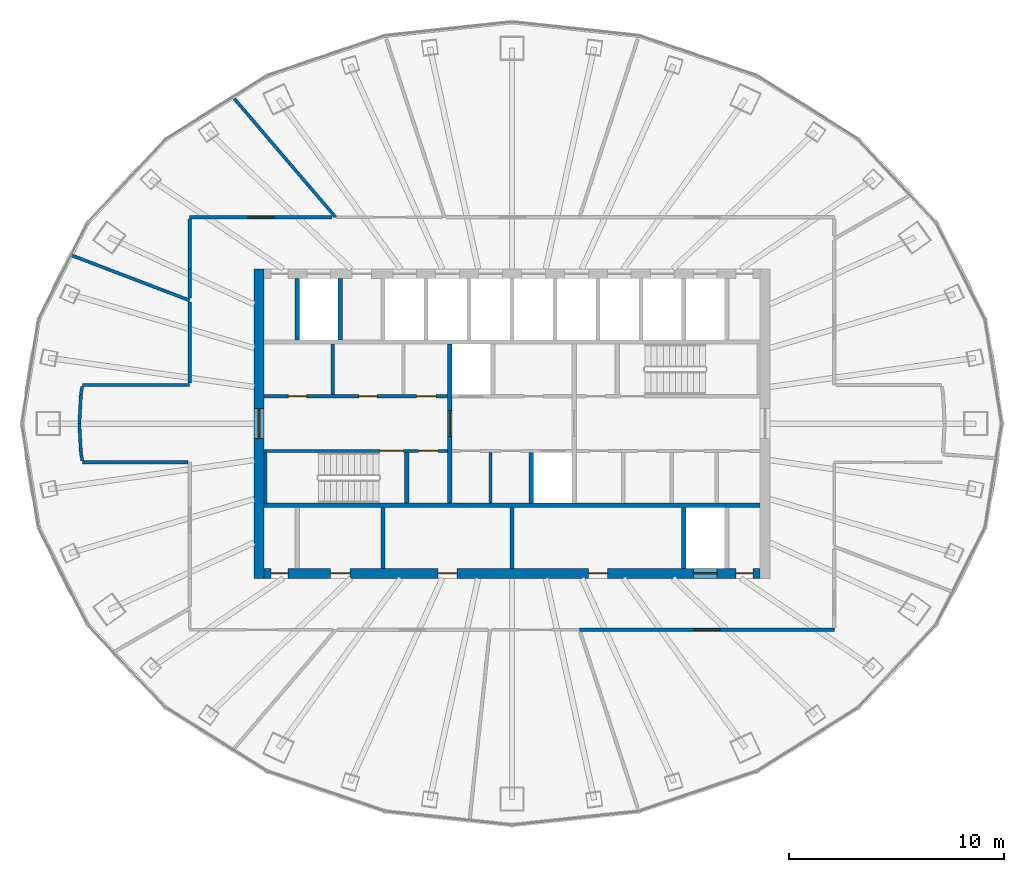
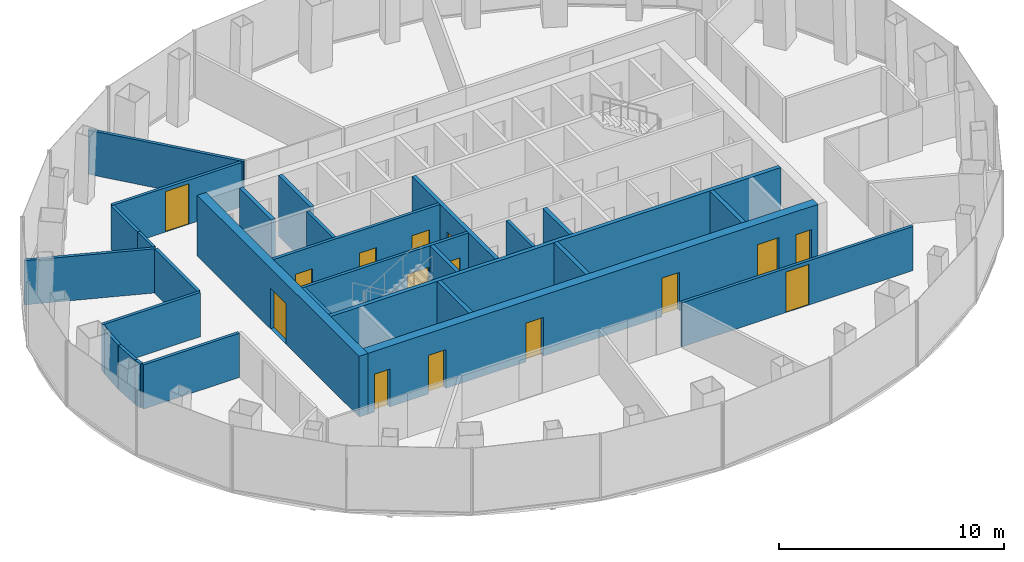
# One storey, part 8 of 11: 29 walls, 15 doors, 15 openings.
"""IFC4 building model written with IfcOpenShell, lengths in metres."""

from ifc_helpers import new_model, si_unit, direction, frame, frame_2d, origin, place, context, subcontext, project, spatial, rectangle, extrude, material, layer, layer_set, type_object, element, fill, save


model = new_model("IFC4")

# Units and contexts
model_context = context("Model", 3, precision=1e-05, world=origin(), true_north=direction((0.0, 1.0)))
body_context = subcontext(model_context, "Body", "Model", "MODEL_VIEW")
ifc_project = project(units=[si_unit("LENGTHUNIT", "METRE"), si_unit("AREAUNIT", "SQUARE_METRE"), si_unit("VOLUMEUNIT", "CUBIC_METRE"), si_unit("PLANEANGLEUNIT", "RADIAN"), si_unit("MASSUNIT", "GRAM", prefix="KILO")], contexts=[model_context])

# Site, building, storey
site_placement = place(None, origin())
site = spatial("IfcSite", under=ifc_project, at=site_placement, CompositionType="ELEMENT")
building_placement = place(site_placement, origin())
building = spatial("IfcBuilding", under=site, at=building_placement, Name="Siaravel Broadcast Tower", CompositionType="ELEMENT")
storey_placement = place(building_placement, frame((0.0, 0.0, 197.800048828125)))
storey = spatial("IfcBuildingStorey", under=building, at=storey_placement, Name="L48", CompositionType="ELEMENT", Elevation=197.800048828125)

# Walls
ifc_material_1 = material(Name="Concrete blockwork", Category="masonry")
ifc_layer_1 = layer(ifc_material_1, 0.14990234375)
ifc_layer_set_1 = layer_set([ifc_layer_1], Name="Concrete blockwork")
wall_type_1 = type_object("IfcWallType", Name="Core partition 150", PredefinedType="PARTITIONING", material=ifc_layer_set_1)
for number, where, z_axis, x_axis, name in (
    (1, (-8.340087890625, 1.35009765625, 0.0), (0.0, 0.0, 1.0), (0.0, 1.0, 0.0), "L48 core partition PNW0"),
    (2, (-1.0, -3.699951171875, 0.0), (0.0, 0.0, 1.0), (0.0, 1.0, 0.0), "L48 core partition PSM0"),
):
    element("IfcWall", number, at=place(storey_placement, frame(where, z_axis=z_axis, x_axis=x_axis)), inside=storey, type_object=wall_type_1, Name=name, PredefinedType="PARTITIONING", context=body_context, shape_type="SweptSolid", body=[
        extrude(rectangle(XDim=2.349853515625, YDim=0.14990234375, at=frame_2d((1.1748046875, 0.0))), origin(), (0.0, 0.0, 1.0), 3.300048828125),
    ])
ifc_layer_2 = layer(ifc_material_1, 0.199951171875)
ifc_layer_set_2 = layer_set([ifc_layer_2], Name="Concrete blockwork")
wall_type_2 = type_object("IfcWallType", Name="Core partition 200", PredefinedType="PARTITIONING", material=ifc_layer_set_2)
for number, where, z_axis, x_axis, name in (
    (3, (-6.0, -6.75, 0.0), (0.0, 0.0, 1.0), (0.0, 1.0, 0.0), "L48 core partition PFS0"),
    (4, (0.0, -6.75, 0.0), (0.0, 0.0, 1.0), (0.0, 1.0, 0.0), "L48 core partition PFS2"),
):
    element("IfcWall", number, at=place(storey_placement, frame(where, z_axis=z_axis, x_axis=x_axis)), inside=storey, type_object=wall_type_2, Name=name, PredefinedType="PARTITIONING", context=body_context, shape_type="SweptSolid", body=[
        extrude(rectangle(XDim=2.85009765625, YDim=0.199951171875, at=frame_2d((1.425048828125, 0.0))), origin(), (0.0, 0.0, 1.0), 3.300048828125),
    ])

# Wall, opening, door
ifc_material_2 = material(Name="Concrete C60/75", Category="concrete")
ifc_layer_3 = layer(ifc_material_2, 0.449951171875)
ifc_layer_set_3 = layer_set([ifc_layer_3], Name="Concrete C60/75")
wall_type_3 = type_object("IfcWallType", Name="Core wall 450", PredefinedType="SHEAR", material=ifc_layer_set_3)
wall_1_placement = place(storey_placement, frame((-11.77490234375, -7.199951171875, 0.0), z_axis=(0.0, 0.0, 1.0), x_axis=(0.0, 1.0, 0.0)))
wall_1 = element("IfcWall", 5, at=wall_1_placement, inside=storey, type_object=wall_type_3, Name="L48 core wall OW", PredefinedType="SHEAR", context=body_context, shape_type="SweptSolid", body=[
    extrude(rectangle(XDim=14.39990234375, YDim=0.449951171875, at=frame_2d((7.199951171875, 0.0))), origin(), (0.0, 0.0, 1.0), 3.300048828125),
])
opening_1_placement = place(wall_1_placement, frame((6.5, 0.0, 0.0)))
opening_1 = element("IfcOpeningElement", 6, at=opening_1_placement, cuts=wall_1, Name="Opening L48-DX-W", PredefinedType="OPENING", context=body_context, shape_type="SweptSolid", body=[
    extrude(rectangle(XDim=1.39990234375, YDim=2.199951171875, at=frame_2d((0.699951171875, 1.10009765625))), frame((0.0, 0.23486328125, 0.0), z_axis=(0.0, -1.0, 0.0), x_axis=(1.0, 0.0, 0.0)), (0.0, 0.0, 1.0), 0.469970703125),
])
ifc_material_3 = material(Name="Steel", Category="steel")
door_type_1 = type_object("IfcDoorType", Name="Core exit door 1400", OperationType="DOUBLE_DOOR_SINGLE_SWING", PredefinedType="DOOR", material=ifc_material_3)
door_1_placement = place(opening_1_placement, origin())
door_1 = element("IfcDoor", 7, at=door_1_placement, inside=storey, type_object=door_type_1, Name="L48 door DX-W", OperationType="DOUBLE_DOOR_SINGLE_SWING", OverallHeight=2.199951171875, OverallWidth=1.39990234375, PredefinedType="DOOR", context=body_context, shape_type="SweptSolid", body=[
    extrude(rectangle(XDim=1.39990234375, YDim=2.199951171875, at=frame_2d((0.699951171875, 1.10009765625))), frame((0.0, 0.02490234375, 0.0), z_axis=(0.0, -1.0, 0.0), x_axis=(1.0, 0.0, 0.0)), (0.0, 0.0, 1.0), 0.050048828125),
])
fill(opening_1, door_1)

# Wall, openings, doors
wall_2_placement = place(storey_placement, frame((-11.550048828125, -6.97509765625, 0.0), z_axis=(0.0, 0.0, 1.0), x_axis=(1.0, 0.0, 0.0)))
wall_2 = element("IfcWall", 8, at=wall_2_placement, inside=storey, type_object=wall_type_3, Name="L48 core wall OS", PredefinedType="SHEAR", context=body_context, shape_type="SweptSolid", body=[
    extrude(rectangle(XDim=23.10009765625, YDim=0.449951171875, at=frame_2d((11.550048828125, 0.0))), origin(), (0.0, 0.0, 1.0), 3.300048828125),
])
opening_2_placement = place(wall_2_placement, frame((20.0, 0.0, 0.0)))
opening_2 = element("IfcOpeningElement", 9, at=opening_2_placement, cuts=wall_2, Name="Opening LD-SV1-L48", PredefinedType="OPENING", context=body_context, shape_type="SweptSolid", body=[
    extrude(rectangle(XDim=1.10009765625, YDim=2.199951171875, at=frame_2d((0.550048828125, 1.10009765625))), frame((0.0, 0.23486328125, 0.0), z_axis=(0.0, -1.0, 0.0), x_axis=(1.0, 0.0, 0.0)), (0.0, 0.0, 1.0), 0.469970703125),
])
opening_3_placement = place(wall_2_placement, frame((3.10009765625, 0.0, 0.0)))
opening_3 = element("IfcOpeningElement", 10, at=opening_3_placement, cuts=wall_2, Name="Opening L48-DFS0", PredefinedType="OPENING", context=body_context, shape_type="SweptSolid", body=[
    extrude(rectangle(XDim=0.89990234375, YDim=2.10009765625, at=frame_2d((0.449951171875, 1.050048828125))), frame((0.0, 0.23486328125, 0.0), z_axis=(0.0, -1.0, 0.0), x_axis=(1.0, 0.0, 0.0)), (0.0, 0.0, 1.0), 0.469970703125),
])
opening_4_placement = place(wall_2_placement, frame((8.10009765625, 0.0, 0.0)))
opening_4 = element("IfcOpeningElement", 11, at=opening_4_placement, cuts=wall_2, Name="Opening L48-DFS2", PredefinedType="OPENING", context=body_context, shape_type="SweptSolid", body=[
    extrude(rectangle(XDim=0.89990234375, YDim=2.10009765625, at=frame_2d((0.449951171875, 1.050048828125))), frame((0.0, 0.23486328125, 0.0), z_axis=(0.0, -1.0, 0.0), x_axis=(1.0, 0.0, 0.0)), (0.0, 0.0, 1.0), 0.469970703125),
])
opening_5_placement = place(wall_2_placement, frame((15.10009765625, 0.0, 0.0)))
opening_5 = element("IfcOpeningElement", 12, at=opening_5_placement, cuts=wall_2, Name="Opening L48-DFS5", PredefinedType="OPENING", context=body_context, shape_type="SweptSolid", body=[
    extrude(rectangle(XDim=0.89990234375, YDim=2.10009765625, at=frame_2d((0.449951171875, 1.050048828125))), frame((0.0, 0.23486328125, 0.0), z_axis=(0.0, -1.0, 0.0), x_axis=(1.0, 0.0, 0.0)), (0.0, 0.0, 1.0), 0.469970703125),
])
opening_6_placement = place(wall_2_placement, frame((0.324951171875, 0.0, 0.0)))
opening_6 = element("IfcOpeningElement", 13, at=opening_6_placement, cuts=wall_2, Name="Opening L48-DRSW", PredefinedType="OPENING", context=body_context, shape_type="SweptSolid", body=[
    extrude(rectangle(XDim=0.800048828125, YDim=2.050048828125, at=frame_2d((0.39990234375, 1.02490234375))), frame((0.0, 0.23486328125, 0.0), z_axis=(0.0, -1.0, 0.0), x_axis=(1.0, 0.0, 0.0)), (0.0, 0.0, 1.0), 0.469970703125),
])
opening_7_placement = place(wall_2_placement, frame((21.97509765625, 0.0, 0.0)))
opening_7 = element("IfcOpeningElement", 14, at=opening_7_placement, cuts=wall_2, Name="Opening L48-DRSE", PredefinedType="OPENING", context=body_context, shape_type="SweptSolid", body=[
    extrude(rectangle(XDim=0.800048828125, YDim=2.050048828125, at=frame_2d((0.39990234375, 1.02490234375))), frame((0.0, 0.23486328125, 0.0), z_axis=(0.0, -1.0, 0.0), x_axis=(1.0, 0.0, 0.0)), (0.0, 0.0, 1.0), 0.469970703125),
])
ifc_material_4 = material(Name="Timber veneer", Category="wood")
door_type_2 = type_object("IfcDoorType", Name="Core room door 900", OperationType="SINGLE_SWING_LEFT", PredefinedType="DOOR", material=ifc_material_4)
door_2_placement = place(opening_3_placement, origin())
door_2 = element("IfcDoor", 15, at=door_2_placement, inside=storey, type_object=door_type_2, Name="L48 door DFS0", OperationType="SINGLE_SWING_LEFT", OverallHeight=2.10009765625, OverallWidth=0.89990234375, PredefinedType="DOOR", context=body_context, shape_type="SweptSolid", body=[
    extrude(rectangle(XDim=0.89990234375, YDim=2.10009765625, at=frame_2d((0.449951171875, 1.050048828125))), frame((0.0, 0.02490234375, 0.0), z_axis=(0.0, -1.0, 0.0), x_axis=(1.0, 0.0, 0.0)), (0.0, 0.0, 1.0), 0.050048828125),
])
fill(opening_3, door_2)
door_3_placement = place(opening_4_placement, origin())
door_3 = element("IfcDoor", 16, at=door_3_placement, inside=storey, type_object=door_type_2, Name="L48 door DFS2", OperationType="SINGLE_SWING_LEFT", OverallHeight=2.10009765625, OverallWidth=0.89990234375, PredefinedType="DOOR", context=body_context, shape_type="SweptSolid", body=[
    extrude(rectangle(XDim=0.89990234375, YDim=2.10009765625, at=frame_2d((0.449951171875, 1.050048828125))), frame((0.0, 0.02490234375, 0.0), z_axis=(0.0, -1.0, 0.0), x_axis=(1.0, 0.0, 0.0)), (0.0, 0.0, 1.0), 0.050048828125),
])
fill(opening_4, door_3)
door_4_placement = place(opening_5_placement, origin())
door_4 = element("IfcDoor", 17, at=door_4_placement, inside=storey, type_object=door_type_2, Name="L48 door DFS5", OperationType="SINGLE_SWING_LEFT", OverallHeight=2.10009765625, OverallWidth=0.89990234375, PredefinedType="DOOR", context=body_context, shape_type="SweptSolid", body=[
    extrude(rectangle(XDim=0.89990234375, YDim=2.10009765625, at=frame_2d((0.449951171875, 1.050048828125))), frame((0.0, 0.02490234375, 0.0), z_axis=(0.0, -1.0, 0.0), x_axis=(1.0, 0.0, 0.0)), (0.0, 0.0, 1.0), 0.050048828125),
])
fill(opening_5, door_4)
door_type_3 = type_object("IfcDoorType", Name="Riser door 800", OperationType="SINGLE_SWING_LEFT", PredefinedType="DOOR", material=ifc_material_3)
door_5_placement = place(opening_6_placement, origin())
door_5 = element("IfcDoor", 18, at=door_5_placement, inside=storey, type_object=door_type_3, Name="L48 door DRSW", OperationType="SINGLE_SWING_LEFT", OverallHeight=2.050048828125, OverallWidth=0.800048828125, PredefinedType="DOOR", context=body_context, shape_type="SweptSolid", body=[
    extrude(rectangle(XDim=0.800048828125, YDim=2.050048828125, at=frame_2d((0.39990234375, 1.02490234375))), frame((0.0, 0.02490234375, 0.0), z_axis=(0.0, -1.0, 0.0), x_axis=(1.0, 0.0, 0.0)), (0.0, 0.0, 1.0), 0.050048828125),
])
fill(opening_6, door_5)
door_6_placement = place(opening_7_placement, origin())
door_6 = element("IfcDoor", 19, at=door_6_placement, inside=storey, type_object=door_type_3, Name="L48 door DRSE", OperationType="SINGLE_SWING_LEFT", OverallHeight=2.050048828125, OverallWidth=0.800048828125, PredefinedType="DOOR", context=body_context, shape_type="SweptSolid", body=[
    extrude(rectangle(XDim=0.800048828125, YDim=2.050048828125, at=frame_2d((0.39990234375, 1.02490234375))), frame((0.0, 0.02490234375, 0.0), z_axis=(0.0, -1.0, 0.0), x_axis=(1.0, 0.0, 0.0)), (0.0, 0.0, 1.0), 0.050048828125),
])
fill(opening_7, door_6)
ifc_material_5 = material(Name="Stainless steel 316L", Category="steel")
door_type_4 = type_object("IfcDoorType", Name="Service lift landing door 1100", OperationType="DOUBLE_DOOR_SLIDING", PredefinedType="DOOR", material=ifc_material_5)
door_7_placement = place(opening_2_placement, origin())
door_7 = element("IfcDoor", 20, at=door_7_placement, inside=storey, type_object=door_type_4, Name="Landing door SV1 L48", OperationType="DOUBLE_DOOR_SLIDING", OverallHeight=2.199951171875, OverallWidth=1.10009765625, PredefinedType="DOOR", context=body_context, shape_type="SweptSolid", body=[
    extrude(rectangle(XDim=1.10009765625, YDim=2.199951171875, at=frame_2d((0.550048828125, 1.10009765625))), frame((0.0, 0.02490234375, 0.0), z_axis=(0.0, -1.0, 0.0), x_axis=(1.0, 0.0, 0.0)), (0.0, 0.0, 1.0), 0.050048828125),
])
fill(opening_2, door_7)

ifc_material_6 = material(Name="Gypsum board partition", Category="gypsum")
ifc_layer_4 = layer(ifc_material_6, 0.14990234375)
ifc_layer_set_4 = layer_set([ifc_layer_4], Name="Gypsum board partition")
wall_type_4 = type_object("IfcWallType", Name="Corridor wall 150", PredefinedType="PARTITIONING", material=ifc_layer_set_4)
wall_3_placement = place(storey_placement, frame((-11.550048828125, 1.27490234375, 0.0), z_axis=(0.0, 0.0, 1.0), x_axis=(1.0, 0.0, 0.0)))
wall_3 = element("IfcWall", 21, at=wall_3_placement, inside=storey, type_object=wall_type_4, Name="L48 core partition CNW", PredefinedType="PARTITIONING", context=body_context, shape_type="SweptSolid", body=[
    extrude(rectangle(XDim=8.550048828125, YDim=0.14990234375, at=frame_2d((4.27490234375, 0.0))), origin(), (0.0, 0.0, 1.0), 3.300048828125),
])
opening_8_placement = place(wall_3_placement, frame((1.142578125, 0.0, 0.0)))
opening_8 = element("IfcOpeningElement", 22, at=opening_8_placement, cuts=wall_3, Name="Opening L48-DNW0", PredefinedType="OPENING", context=body_context, shape_type="SweptSolid", body=[
    extrude(rectangle(XDim=0.85009765625, YDim=2.10009765625, at=frame_2d((0.425048828125, 1.050048828125))), frame((0.0, 0.0849609375, 0.0), z_axis=(0.0, -1.0, 0.0), x_axis=(1.0, 0.0, 0.0)), (0.0, 0.0, 1.0), 0.169921875),
])
opening_9_placement = place(wall_3_placement, frame((4.427490234375, 0.0, 0.0)))
opening_9 = element("IfcOpeningElement", 23, at=opening_9_placement, cuts=wall_3, Name="Opening L48-DNW1", PredefinedType="OPENING", context=body_context, shape_type="SweptSolid", body=[
    extrude(rectangle(XDim=0.85009765625, YDim=2.10009765625, at=frame_2d((0.425048828125, 1.050048828125))), frame((0.0, 0.0849609375, 0.0), z_axis=(0.0, -1.0, 0.0), x_axis=(1.0, 0.0, 0.0)), (0.0, 0.0, 1.0), 0.169921875),
])
opening_10_placement = place(wall_3_placement, frame((7.110107421875, 0.0, 0.0)))
opening_10 = element("IfcOpeningElement", 24, at=opening_10_placement, cuts=wall_3, Name="Opening L48-DNW2", PredefinedType="OPENING", context=body_context, shape_type="SweptSolid", body=[
    extrude(rectangle(XDim=0.89990234375, YDim=2.10009765625, at=frame_2d((0.449951171875, 1.050048828125))), frame((0.0, 0.0849609375, 0.0), z_axis=(0.0, -1.0, 0.0), x_axis=(1.0, 0.0, 0.0)), (0.0, 0.0, 1.0), 0.169921875),
])
door_8_placement = place(opening_10_placement, origin())
door_8 = element("IfcDoor", 25, at=door_8_placement, inside=storey, type_object=door_type_2, Name="L48 door DNW2", OperationType="SINGLE_SWING_LEFT", OverallHeight=2.10009765625, OverallWidth=0.89990234375, PredefinedType="DOOR", context=body_context, shape_type="SweptSolid", body=[
    extrude(rectangle(XDim=0.89990234375, YDim=2.10009765625, at=frame_2d((0.449951171875, 1.050048828125))), frame((0.0, 0.02490234375, 0.0), z_axis=(0.0, -1.0, 0.0), x_axis=(1.0, 0.0, 0.0)), (0.0, 0.0, 1.0), 0.050048828125),
])
fill(opening_10, door_8)
door_type_5 = type_object("IfcDoorType", Name="Core toilet door 850", OperationType="SINGLE_SWING_LEFT", PredefinedType="DOOR", material=ifc_material_4)
door_9_placement = place(opening_8_placement, origin())
door_9 = element("IfcDoor", 26, at=door_9_placement, inside=storey, type_object=door_type_5, Name="L48 door DNW0", OperationType="SINGLE_SWING_LEFT", OverallHeight=2.10009765625, OverallWidth=0.85009765625, PredefinedType="DOOR", context=body_context, shape_type="SweptSolid", body=[
    extrude(rectangle(XDim=0.85009765625, YDim=2.10009765625, at=frame_2d((0.425048828125, 1.050048828125))), frame((0.0, 0.02490234375, 0.0), z_axis=(0.0, -1.0, 0.0), x_axis=(1.0, 0.0, 0.0)), (0.0, 0.0, 1.0), 0.050048828125),
])
fill(opening_8, door_9)
door_10_placement = place(opening_9_placement, origin())
door_10 = element("IfcDoor", 27, at=door_10_placement, inside=storey, type_object=door_type_5, Name="L48 door DNW1", OperationType="SINGLE_SWING_LEFT", OverallHeight=2.10009765625, OverallWidth=0.85009765625, PredefinedType="DOOR", context=body_context, shape_type="SweptSolid", body=[
    extrude(rectangle(XDim=0.85009765625, YDim=2.10009765625, at=frame_2d((0.425048828125, 1.050048828125))), frame((0.0, 0.02490234375, 0.0), z_axis=(0.0, -1.0, 0.0), x_axis=(1.0, 0.0, 0.0)), (0.0, 0.0, 1.0), 0.050048828125),
])
fill(opening_9, door_10)

# Wall, opening, door
wall_4_placement = place(storey_placement, frame((3.140380859375, -9.60009765625, 0.0), z_axis=(0.0, 0.0, 1.0), x_axis=(1.0, 0.0, 0.0)))
wall_4 = element("IfcWall", 28, at=wall_4_placement, inside=storey, type_object=wall_type_4, Name="L48 partition 1", PredefinedType="PARTITIONING", context=body_context, shape_type="SweptSolid", body=[
    extrude(rectangle(XDim=11.859619140625, YDim=0.14990234375, at=frame_2d((5.9296875, 0.0))), origin(), (0.0, 0.0, 1.0), 2.39990234375),
])
opening_11_placement = place(wall_4_placement, frame((5.329833984375, 0.0, 0.0)))
opening_11 = element("IfcOpeningElement", 29, at=opening_11_placement, cuts=wall_4, Name="Opening L48-003", PredefinedType="OPENING", context=body_context, shape_type="SweptSolid", body=[
    extrude(rectangle(XDim=1.199951171875, YDim=2.199951171875, at=frame_2d((0.60009765625, 1.10009765625))), frame((0.0, 0.0849609375, 0.0), z_axis=(0.0, -1.0, 0.0), x_axis=(1.0, 0.0, 0.0)), (0.0, 0.0, 1.0), 0.169921875),
])
door_type_6 = type_object("IfcDoorType", Name="Office double door 1200", OperationType="DOUBLE_DOOR_SINGLE_SWING", PredefinedType="DOOR", material=ifc_material_4)
door_11_placement = place(opening_11_placement, origin())
door_11 = element("IfcDoor", 30, at=door_11_placement, inside=storey, type_object=door_type_6, Name="L48 door to Open plan office", OperationType="DOUBLE_DOOR_SINGLE_SWING", OverallHeight=2.199951171875, OverallWidth=1.199951171875, PredefinedType="DOOR", context=body_context, shape_type="SweptSolid", body=[
    extrude(rectangle(XDim=1.199951171875, YDim=2.199951171875, at=frame_2d((0.60009765625, 1.10009765625))), frame((0.0, 0.02490234375, 0.0), z_axis=(0.0, -1.0, 0.0), x_axis=(1.0, 0.0, 0.0)), (0.0, 0.0, 1.0), 0.050048828125),
])
fill(opening_11, door_11)

wall_5_placement = place(storey_placement, frame((-8.371337890625, 9.60009765625, 0.0), z_axis=(0.0, 0.0, 1.0), x_axis=(-1.0, 0.0, 0.0)))
wall_5 = element("IfcWall", 31, at=wall_5_placement, inside=storey, type_object=wall_type_4, Name="L48 partition 11", PredefinedType="PARTITIONING", context=body_context, shape_type="SweptSolid", body=[
    extrude(rectangle(XDim=6.628662109375, YDim=0.14990234375, at=frame_2d((3.314453125, 0.0))), origin(), (0.0, 0.0, 1.0), 2.39990234375),
])
opening_12_placement = place(wall_5_placement, frame((2.71435546875, 0.0, 0.0)))
opening_12 = element("IfcOpeningElement", 32, at=opening_12_placement, cuts=wall_5, Name="Opening L48-010", PredefinedType="OPENING", context=body_context, shape_type="SweptSolid", body=[
    extrude(rectangle(XDim=1.199951171875, YDim=2.199951171875, at=frame_2d((0.60009765625, 1.10009765625))), frame((0.0, 0.0849609375, 0.0), z_axis=(0.0, -1.0, 0.0), x_axis=(1.0, 0.0, 0.0)), (0.0, 0.0, 1.0), 0.169921875),
])
door_12_placement = place(opening_12_placement, origin())
door_12 = element("IfcDoor", 33, at=door_12_placement, inside=storey, type_object=door_type_6, Name="L48 door to Open plan office", OperationType="DOUBLE_DOOR_SINGLE_SWING", OverallHeight=2.199951171875, OverallWidth=1.199951171875, PredefinedType="DOOR", context=body_context, shape_type="SweptSolid", body=[
    extrude(rectangle(XDim=1.199951171875, YDim=2.199951171875, at=frame_2d((0.60009765625, 1.10009765625))), frame((0.0, 0.02490234375, 0.0), z_axis=(0.0, -1.0, 0.0), x_axis=(1.0, 0.0, 0.0)), (0.0, 0.0, 1.0), 0.050048828125),
])
fill(opening_12, door_12)

# Walls
wall_6_placement = place(storey_placement, frame((-19.9921875, -1.800048828125, 0.0), z_axis=(0.0, 0.0, 1.0), x_axis=(1.0, 0.0, 0.0)))
element("IfcWall", 34, at=wall_6_placement, inside=storey, type_object=wall_type_4, Name="L48 partition 18", PredefinedType="PARTITIONING", context=body_context, shape_type="SweptSolid", body=[
    extrude(rectangle(XDim=4.915283203125, YDim=0.14990234375, at=frame_2d((2.45751953125, 0.0))), origin(), (0.0, 0.0, 1.0), 2.39990234375),
])
wall_7_placement = place(storey_placement, frame((-15.0, 1.800048828125, 0.0), z_axis=(0.0, 0.0, 1.0), x_axis=(-1.0, 0.0, 0.0)))
element("IfcWall", 35, at=wall_7_placement, inside=storey, type_object=wall_type_4, Name="L48 partition 19", PredefinedType="PARTITIONING", context=body_context, shape_type="SweptSolid", body=[
    extrude(rectangle(XDim=4.9921875, YDim=0.14990234375, at=frame_2d((2.49609375, 0.0))), origin(), (0.0, 0.0, 1.0), 2.39990234375),
])
wall_8_placement = place(storey_placement, frame((-15.0, 5.6572265625, 0.0), z_axis=(0.0, 0.0, 1.0), x_axis=(0.0, -1.0, 0.0)))
element("IfcWall", 36, at=wall_8_placement, inside=storey, type_object=wall_type_4, Name="L48 partition 25", PredefinedType="PARTITIONING", context=body_context, shape_type="SweptSolid", body=[
    extrude(rectangle(XDim=3.7802734375, YDim=0.14990234375, at=frame_2d((1.89013671875, 0.0))), origin(), (0.0, 0.0, 1.0), 2.39990234375),
])
wall_9_placement = place(storey_placement, frame((-15.0, 9.52294921875, 0.0), z_axis=(0.0, 0.0, 1.0), x_axis=(0.0, -1.0, 0.0)))
element("IfcWall", 37, at=wall_9_placement, inside=storey, type_object=wall_type_4, Name="L48 partition 28", PredefinedType="PARTITIONING", context=body_context, shape_type="SweptSolid", body=[
    extrude(rectangle(XDim=2.3349609375, YDim=0.14990234375, at=frame_2d((1.16748046875, 0.0))), origin(), (0.0, 0.0, 1.0), 2.39990234375),
])
wall_10_placement = place(storey_placement, frame((-15.0, 7.18701171875, 0.0), z_axis=(0.0, 0.0, 1.0), x_axis=(0.0, -1.0, 0.0)))
element("IfcWall", 38, at=wall_10_placement, inside=storey, type_object=wall_type_4, Name="L48 partition 30", PredefinedType="PARTITIONING", context=body_context, shape_type="SweptSolid", body=[
    extrude(rectangle(XDim=1.3466796875, YDim=0.14990234375, at=frame_2d((0.67333984375, 0.0))), origin(), (0.0, 0.0, 1.0), 2.39990234375),
])
wall_11_placement = place(storey_placement, frame((-20.13671875, 0.0, 0.0), z_axis=(0.0, 0.0, 1.0), x_axis=(0.053233569, -0.998582088, 0.0)))
element("IfcWall", 39, at=wall_11_placement, inside=storey, type_object=wall_type_4, Name="L48 partition 35", PredefinedType="PARTITIONING", context=body_context, shape_type="SweptSolid", body=[
    extrude(rectangle(XDim=1.348388671875, YDim=0.14990234375, at=frame_2d((0.67431640625, 0.0))), origin(), (0.0, 0.0, 1.0), 2.39990234375),
])
wall_12_placement = place(storey_placement, frame((-20.06494140625, 1.346435546875, 0.0), z_axis=(0.0, 0.0, 1.0), x_axis=(-0.053267345, -0.998580287, 0.0)))
element("IfcWall", 40, at=wall_12_placement, inside=storey, type_object=wall_type_4, Name="L48 partition 36", PredefinedType="PARTITIONING", context=body_context, shape_type="SweptSolid", body=[
    extrude(rectangle(XDim=1.33837890625, YDim=0.14990234375, at=frame_2d((0.669189453125, 0.0))), origin(), (0.0, 0.0, 1.0), 2.39990234375),
])
for number, where, z_axis, x_axis, name in (
    (41, (-20.0634765625, -1.356201171875, 0.0), (0.0, 0.0, 1.0), (0.158882963, -0.987297424, 0.0), "L48 partition 40"),
    (42, (-20.004150390625, 1.724853515625, 0.0), (0.0, 0.0, 1.0), (-0.158882963, -0.987297424, 0.0), "L48 partition 41"),
):
    element("IfcWall", number, at=place(storey_placement, frame(where, z_axis=z_axis, x_axis=x_axis)), inside=storey, type_object=wall_type_4, Name=name, PredefinedType="PARTITIONING", context=body_context, shape_type="SweptSolid", body=[
        extrude(rectangle(XDim=0.373291015625, YDim=0.14990234375, at=frame_2d((0.1865234375, 0.0))), origin(), (0.0, 0.0, 1.0), 2.39990234375),
    ])
ifc_layer_5 = layer(ifc_material_6, 0.14990234375)
ifc_layer_set_5 = layer_set([ifc_layer_5], Name="Gypsum board partition")
wall_type_5 = type_object("IfcWallType", Name="Room partition 150", PredefinedType="PARTITIONING", material=ifc_layer_set_5)
wall_13_placement = place(storey_placement, frame((-12.974853515625, 15.177978515625, 0.0), z_axis=(0.0, 0.0, 1.0), x_axis=(0.649790761, -0.760113128, 0.0)))
element("IfcWall", 43, at=wall_13_placement, inside=storey, type_object=wall_type_5, Name="L48 partition 7", PredefinedType="PARTITIONING", context=body_context, shape_type="SweptSolid", body=[
    extrude(rectangle(XDim=7.338134765625, YDim=0.14990234375, at=frame_2d((3.6689453125, 0.0))), origin(), (0.0, 0.0, 1.0), 2.39990234375),
])
wall_14_placement = place(storey_placement, frame((-20.515380859375, 7.8359375, 0.0), z_axis=(0.0, 0.0, 1.0), x_axis=(0.934186062, -0.356786213, 0.0)))
element("IfcWall", 44, at=wall_14_placement, inside=storey, type_object=wall_type_5, Name="L48 partition 13", PredefinedType="PARTITIONING", context=body_context, shape_type="SweptSolid", body=[
    extrude(rectangle(XDim=5.904052734375, YDim=0.14990234375, at=frame_2d((2.9521484375, 0.0))), origin(), (0.0, 0.0, 1.0), 2.39990234375),
])

# Wall, openings, doors
ifc_layer_6 = layer(ifc_material_2, 0.14990234375)
ifc_layer_set_6 = layer_set([ifc_layer_6], Name="Concrete C60/75")
wall_type_6 = type_object("IfcWallType", Name="Shaft wall 150", PredefinedType="SHEAR", material=ifc_layer_set_6)
wall_15_placement = place(storey_placement, frame((-11.550048828125, -1.27490234375, 0.0), z_axis=(0.0, 0.0, 1.0), x_axis=(1.0, 0.0, 0.0)))
wall_15 = element("IfcWall", 45, at=wall_15_placement, inside=storey, type_object=wall_type_6, Name="L48 core wall CSW", PredefinedType="SHEAR", context=body_context, shape_type="SweptSolid", body=[
    extrude(rectangle(XDim=8.550048828125, YDim=0.14990234375, at=frame_2d((4.27490234375, 0.0))), origin(), (0.0, 0.0, 1.0), 3.300048828125),
])
opening_13_placement = place(wall_15_placement, frame((5.39990234375, 0.0, 0.0)))
opening_13 = element("IfcOpeningElement", 46, at=opening_13_placement, cuts=wall_15, Name="Opening L48-DS-1", PredefinedType="OPENING", context=body_context, shape_type="SweptSolid", body=[
    extrude(rectangle(XDim=1.10009765625, YDim=2.14990234375, at=frame_2d((0.550048828125, 1.074951171875))), frame((0.0, 0.0849609375, 0.0), z_axis=(0.0, -1.0, 0.0), x_axis=(1.0, 0.0, 0.0)), (0.0, 0.0, 1.0), 0.169921875),
])
opening_14_placement = place(wall_15_placement, frame((7.199951171875, 0.0, 0.0)))
opening_14 = element("IfcOpeningElement", 47, at=opening_14_placement, cuts=wall_15, Name="Opening L48-DSW0", PredefinedType="OPENING", context=body_context, shape_type="SweptSolid", body=[
    extrude(rectangle(XDim=0.89990234375, YDim=2.10009765625, at=frame_2d((0.449951171875, 1.050048828125))), frame((0.0, 0.0849609375, 0.0), z_axis=(0.0, -1.0, 0.0), x_axis=(1.0, 0.0, 0.0)), (0.0, 0.0, 1.0), 0.169921875),
])
door_13_placement = place(opening_14_placement, origin())
door_13 = element("IfcDoor", 48, at=door_13_placement, inside=storey, type_object=door_type_2, Name="L48 door DSW0", OperationType="SINGLE_SWING_LEFT", OverallHeight=2.10009765625, OverallWidth=0.89990234375, PredefinedType="DOOR", context=body_context, shape_type="SweptSolid", body=[
    extrude(rectangle(XDim=0.89990234375, YDim=2.10009765625, at=frame_2d((0.449951171875, 1.050048828125))), frame((0.0, 0.02490234375, 0.0), z_axis=(0.0, -1.0, 0.0), x_axis=(1.0, 0.0, 0.0)), (0.0, 0.0, 1.0), 0.050048828125),
])
fill(opening_14, door_13)
door_type_7 = type_object("IfcDoorType", Name="Stair door 1100", OperationType="SINGLE_SWING_LEFT", PredefinedType="DOOR", material=ifc_material_3)
door_14_placement = place(opening_13_placement, origin())
door_14 = element("IfcDoor", 49, at=door_14_placement, inside=storey, type_object=door_type_7, Name="L48 door DS-1", OperationType="SINGLE_SWING_LEFT", OverallHeight=2.14990234375, OverallWidth=1.10009765625, PredefinedType="DOOR", context=body_context, shape_type="SweptSolid", body=[
    extrude(rectangle(XDim=1.10009765625, YDim=2.14990234375, at=frame_2d((0.550048828125, 1.074951171875))), frame((0.0, 0.02490234375, 0.0), z_axis=(0.0, -1.0, 0.0), x_axis=(1.0, 0.0, 0.0)), (0.0, 0.0, 1.0), 0.050048828125),
])
fill(opening_13, door_14)

# Walls
wall_16_placement = place(storey_placement, frame((-11.47509765625, -3.699951171875, 0.0), z_axis=(0.0, 0.0, 1.0), x_axis=(0.0, 1.0, 0.0)))
element("IfcWall", 50, at=wall_16_placement, inside=storey, type_object=wall_type_6, Name="L48 core wall ST1W", PredefinedType="SHEAR", context=body_context, shape_type="SweptSolid", body=[
    extrude(rectangle(XDim=2.349853515625, YDim=0.14990234375, at=frame_2d((1.1748046875, 0.0))), origin(), (0.0, 0.0, 1.0), 3.300048828125),
])
ifc_layer_7 = layer(ifc_material_2, 0.199951171875)
ifc_layer_set_7 = layer_set([ifc_layer_7], Name="Concrete C60/75")
wall_type_7 = type_object("IfcWallType", Name="Shaft wall 200", PredefinedType="SHEAR", material=ifc_layer_set_7)
wall_17_placement = place(storey_placement, frame((-11.550048828125, -3.800048828125, 0.0), z_axis=(0.0, 0.0, 1.0), x_axis=(1.0, 0.0, 0.0)))
element("IfcWall", 51, at=wall_17_placement, inside=storey, type_object=wall_type_7, Name="L48 core wall BS", PredefinedType="SHEAR", context=body_context, shape_type="SweptSolid", body=[
    extrude(rectangle(XDim=23.10009765625, YDim=0.199951171875, at=frame_2d((11.550048828125, 0.0))), origin(), (0.0, 0.0, 1.0), 3.300048828125),
])
for number, where, z_axis, x_axis, name in (
    (52, (8.0, -6.75, 0.0), (0.0, 0.0, 1.0), (0.0, 1.0, 0.0), "L48 core wall SWS9"),
    (53, (-10.0, 3.89990234375, 0.0), (0.0, 0.0, 1.0), (0.0, 1.0, 0.0), "L48 core wall SWN0"),
    (54, (-8.0, 3.89990234375, 0.0), (0.0, 0.0, 1.0), (0.0, 1.0, 0.0), "L48 core wall SWN1"),
):
    element("IfcWall", number, at=place(storey_placement, frame(where, z_axis=z_axis, x_axis=x_axis)), inside=storey, type_object=wall_type_7, Name=name, PredefinedType="SHEAR", context=body_context, shape_type="SweptSolid", body=[
        extrude(rectangle(XDim=2.85009765625, YDim=0.199951171875, at=frame_2d((1.425048828125, 0.0))), origin(), (0.0, 0.0, 1.0), 3.300048828125),
    ])

# Wall, opening, door
wall_18_placement = place(storey_placement, frame((-2.89990234375, -3.699951171875, 0.0), z_axis=(0.0, 0.0, 1.0), x_axis=(0.0, 1.0, 0.0)))
wall_18 = element("IfcWall", 55, at=wall_18_placement, inside=storey, type_object=wall_type_7, Name="L48 core wall LW", PredefinedType="SHEAR", context=body_context, shape_type="SweptSolid", body=[
    extrude(rectangle(XDim=7.39990234375, YDim=0.199951171875, at=frame_2d((3.699951171875, 0.0))), origin(), (0.0, 0.0, 1.0), 3.300048828125),
])
opening_15_placement = place(wall_18_placement, frame((3.10009765625, 0.0, 0.0)))
opening_15 = element("IfcOpeningElement", 56, at=opening_15_placement, cuts=wall_18, Name="Opening L48-DL-W", PredefinedType="OPENING", context=body_context, shape_type="SweptSolid", body=[
    extrude(rectangle(XDim=1.199951171875, YDim=2.199951171875, at=frame_2d((0.60009765625, 1.10009765625))), frame((0.0, 0.10986328125, 0.0), z_axis=(0.0, -1.0, 0.0), x_axis=(1.0, 0.0, 0.0)), (0.0, 0.0, 1.0), 0.219970703125),
])
door_type_8 = type_object("IfcDoorType", Name="Firefighting lobby door 1200", OperationType="SINGLE_SWING_LEFT", PredefinedType="DOOR", material=ifc_material_3)
door_15_placement = place(opening_15_placement, origin())
door_15 = element("IfcDoor", 57, at=door_15_placement, inside=storey, type_object=door_type_8, Name="L48 door DL-W", OperationType="SINGLE_SWING_LEFT", OverallHeight=2.199951171875, OverallWidth=1.199951171875, PredefinedType="DOOR", context=body_context, shape_type="SweptSolid", body=[
    extrude(rectangle(XDim=1.199951171875, YDim=2.199951171875, at=frame_2d((0.60009765625, 1.10009765625))), frame((0.0, 0.02490234375, 0.0), z_axis=(0.0, -1.0, 0.0), x_axis=(1.0, 0.0, 0.0)), (0.0, 0.0, 1.0), 0.050048828125),
])
fill(opening_15, door_15)

# Walls
for number, where, z_axis, x_axis, name in (
    (58, (0.89990234375, -3.699951171875, 0.0), (0.0, 0.0, 1.0), (0.0, 1.0, 0.0), "L48 core wall FF2W"),
    (59, (-4.89990234375, -3.699951171875, 0.0), (0.0, 0.0, 1.0), (0.0, 1.0, 0.0), "L48 core wall ST1E"),
):
    element("IfcWall", number, at=place(storey_placement, frame(where, z_axis=z_axis, x_axis=x_axis)), inside=storey, type_object=wall_type_7, Name=name, PredefinedType="SHEAR", context=body_context, shape_type="SweptSolid", body=[
        extrude(rectangle(XDim=2.349853515625, YDim=0.199951171875, at=frame_2d((1.1748046875, 0.0))), origin(), (0.0, 0.0, 1.0), 3.300048828125),
    ])

save(model, "model.ifc")
